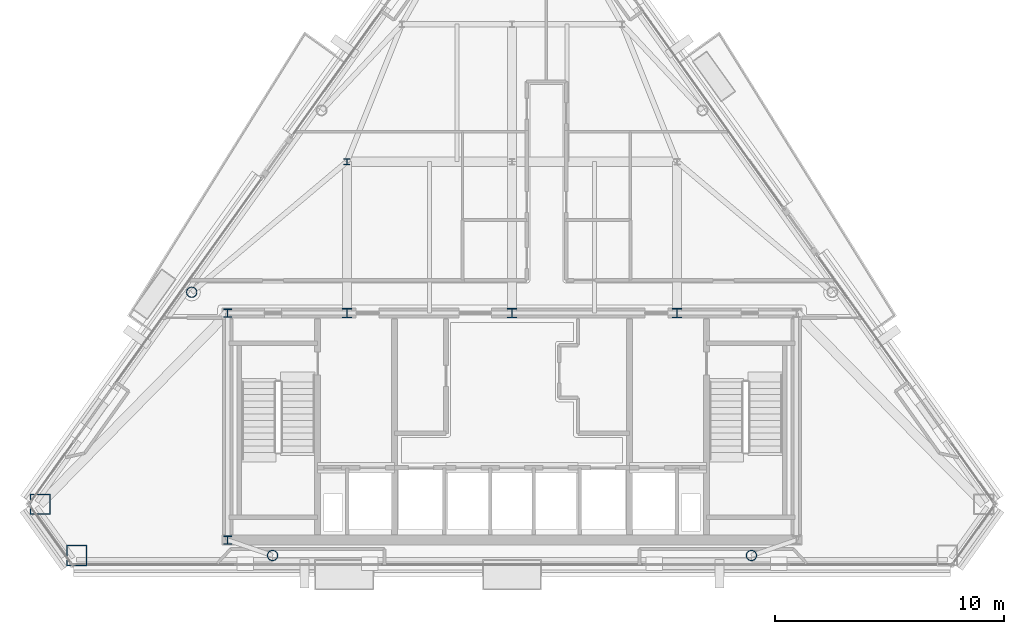
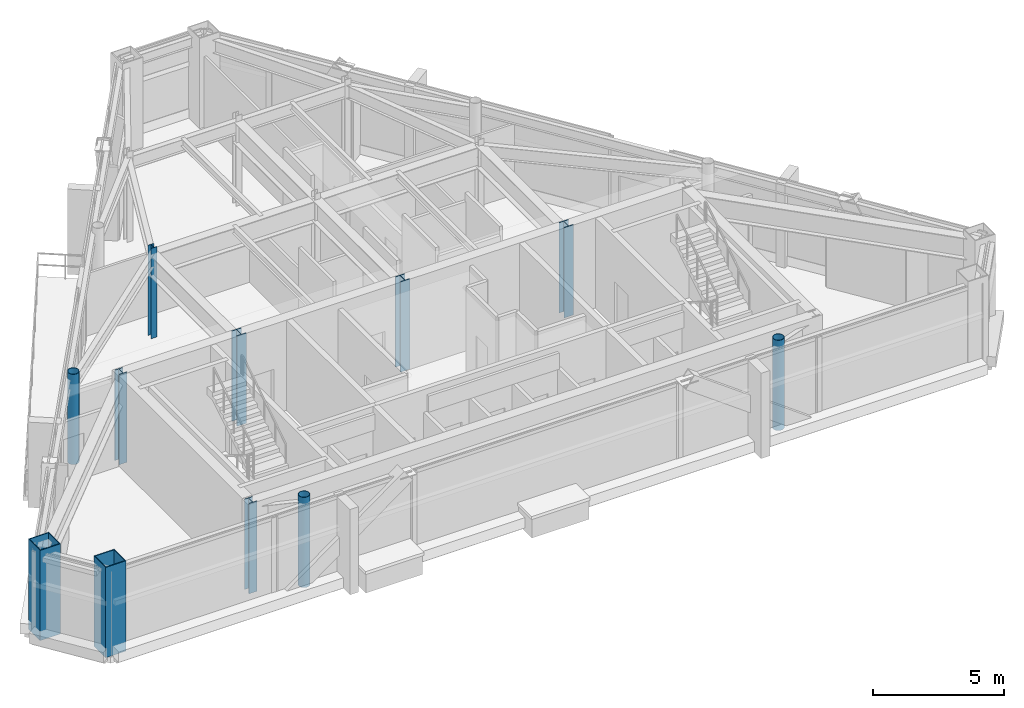
# One storey, part 1 of 12: 11 columns.
"""IFC4 building model written with IfcOpenShell, lengths in metres."""

from ifc_helpers import new_model, si_unit, direction, frame, origin, origin_2d, place, context, subcontext, project, spatial, hollow_rectangle, hollow_circle, i_section, extrude, material, material_profile, profile_set, type_object, element, save


model = new_model("IFC4")

# Units and contexts
model_context = context("Model", 3, precision=1e-05, world=origin(), true_north=direction((0.0, 1.0)))
body_context = subcontext(model_context, "Body", "Model", "MODEL_VIEW")
ifc_project = project(units=[si_unit("LENGTHUNIT", "METRE"), si_unit("AREAUNIT", "SQUARE_METRE"), si_unit("VOLUMEUNIT", "CUBIC_METRE"), si_unit("PLANEANGLEUNIT", "RADIAN"), si_unit("MASSUNIT", "GRAM", prefix="KILO")], contexts=[model_context])

# Site, building, storey
site_placement = place(None, origin())
site = spatial("IfcSite", under=ifc_project, at=site_placement, CompositionType="ELEMENT")
building_placement = place(site_placement, origin())
building = spatial("IfcBuilding", under=site, at=building_placement, Name="Talgorran Terracotta Tower", CompositionType="ELEMENT")
storey_placement = place(building_placement, frame((0.0, 0.0, 285.0)))
storey = spatial("IfcBuildingStorey", under=building, at=storey_placement, Name="L75", CompositionType="ELEMENT", Elevation=285.0)

# Columns
ifc_material_1 = material(Name="Steel S355 (300PLUS)", Category="steel")
ifc_material_profile_1 = material_profile(ifc_material_1, i_section(OverallWidth=0.256103515625, OverallDepth=0.260009765625, WebThickness=0.010498046875, FlangeThickness=0.017333984375, at=origin_2d()), Name="250UC89.5")
ifc_profile_set_1 = profile_set([ifc_material_profile_1], Name="Steel S355 (300PLUS)")
column_type_1 = type_object("IfcColumnType", Name="COL_250UC89", PredefinedType="COLUMN", material=ifc_profile_set_1)
column_placement = place(storey_placement, frame((-7.199951171875, 2.39990234375, 0.0), z_axis=(0.0, 0.0, 1.0), x_axis=(1.0, 0.0, 0.0)))
element("IfcColumn", 1, at=column_placement, inside=storey, type_object=column_type_1, Name="L75 Interior Gravity Column IC1", PredefinedType="COLUMN", context=body_context, shape_type="SweptSolid", body=[
    extrude(i_section(OverallWidth=0.256103515625, OverallDepth=0.260009765625, WebThickness=0.010498046875, FlangeThickness=0.017333984375, at=origin_2d()), origin(), (0.0, 0.0, 1.0), 4.199951171875),
])
ifc_material_profile_2 = material_profile(ifc_material_1, i_section(OverallWidth=0.35205078125, OverallDepth=0.35888671875, WebThickness=0.01806640625, FlangeThickness=0.02587890625, at=origin_2d()), Name="350WC197")
ifc_profile_set_2 = profile_set([ifc_material_profile_2], Name="Steel S355 (300PLUS)")
column_type_2 = type_object("IfcColumnType", Name="COL_350WC197", PredefinedType="COLUMN", material=ifc_profile_set_2)
for number, where, z_axis, x_axis, name in (
    (2, (-12.39990234375, -14.10009765625, 0.0), (0.0, 0.0, 1.0), (1.0, 0.0, 0.0), "L75 Core Boundary Column CC1"),
    (3, (-12.39990234375, -4.199951171875, 0.0), (0.0, 0.0, 1.0), (1.0, 0.0, 0.0), "L75 Core Boundary Column CC4"),
):
    element("IfcColumn", number, at=place(storey_placement, frame(where, z_axis=z_axis, x_axis=x_axis)), inside=storey, type_object=column_type_2, Name=name, PredefinedType="COLUMN", context=body_context, shape_type="SweptSolid", body=[
        extrude(i_section(OverallWidth=0.35205078125, OverallDepth=0.35888671875, WebThickness=0.01806640625, FlangeThickness=0.02587890625, at=origin_2d()), origin(), (0.0, 0.0, 1.0), 4.199951171875),
    ])
ifc_material_2 = material(Name="Steel Grade 350 (350L0)", Category="steel")
ifc_material_profile_3 = material_profile(ifc_material_2, hollow_rectangle(XDim=0.89990234375, YDim=0.89990234375, WallThickness=0.0400390625, at=origin_2d()), Name="CFT900X900X40")
ifc_profile_set_3 = profile_set([ifc_material_profile_3], Name="Steel Grade 350 (350L0)")
column_type_3 = type_object("IfcColumnType", Name="COL_CFT_900", PredefinedType="COLUMN", material=ifc_profile_set_3)
for number, where, z_axis, x_axis, name in (
    (4, (-20.578857421875, -12.542724609375, 0.0), (0.0, 0.0, 1.0), (1.0, 0.0, 0.0), "L75 Corner CFT Mega-Column MC1"),
    (5, (-18.984619140625, -14.7744140625, 0.0), (0.0, 0.0, 1.0), (1.0, 0.0, 0.0), "L75 Corner CFT Mega-Column MC2"),
):
    element("IfcColumn", number, at=place(storey_placement, frame(where, z_axis=z_axis, x_axis=x_axis)), inside=storey, type_object=column_type_3, Name=name, PredefinedType="COLUMN", context=body_context, shape_type="SweptSolid", body=[
        extrude(hollow_rectangle(XDim=0.89990234375, YDim=0.89990234375, WallThickness=0.0400390625, at=origin_2d()), origin(), (0.0, 0.0, 1.0), 4.199951171875),
    ])
ifc_material_3 = material(Name="Steel S350 (C350L0)", Category="steel")
ifc_material_profile_4 = material_profile(ifc_material_3, hollow_circle(Radius=0.228515625, WallThickness=0.01611328125, at=origin_2d()), Name="CHS457X16")
ifc_profile_set_4 = profile_set([ifc_material_profile_4], Name="Steel S350 (C350L0)")
column_type_4 = type_object("IfcColumnType", Name="COL_CHS_457", PredefinedType="COLUMN", material=ifc_profile_set_4)
for number, where, z_axis, x_axis, name in (
    (6, (-10.441650390625, -14.7744140625, 0.0), (0.0, 0.0, 1.0), (1.0, 0.0, 0.0), "L75 Facet Perimeter Column FC1"),
    (7, (10.441650390625, -14.7744140625, 0.0), (0.0, 0.0, 1.0), (1.0, 0.0, 0.0), "L75 Facet Perimeter Column FC2"),
    (8, (-13.970458984375, -3.29150390625, 0.0), (0.0, 0.0, 1.0), (1.0, 0.0, 0.0), "L75 Facet Perimeter Column FC6"),
):
    element("IfcColumn", number, at=place(storey_placement, frame(where, z_axis=z_axis, x_axis=x_axis)), inside=storey, type_object=column_type_4, Name=name, PredefinedType="COLUMN", context=body_context, shape_type="SweptSolid", body=[
        extrude(hollow_circle(Radius=0.228515625, WallThickness=0.01611328125, at=origin_2d()), origin(), (0.0, 0.0, 1.0), 4.199951171875),
    ])
ifc_material_profile_5 = material_profile(ifc_material_1, i_section(OverallWidth=0.405029296875, OverallDepth=0.4140625, WebThickness=0.02197265625, FlangeThickness=0.031982421875, at=origin_2d()), Name="400WC270")
ifc_profile_set_5 = profile_set([ifc_material_profile_5], Name="Steel S355 (300PLUS)")
column_type_5 = type_object("IfcColumnType", Name="COL_PIL_400WC270", PredefinedType="PILASTER", material=ifc_profile_set_5)
for number, where, z_axis, x_axis, name in (
    (9, (-7.199951171875, -4.199951171875, 0.0), (0.0, 0.0, 1.0), (1.0, 0.0, 0.0), "L75 Core Shear Pilaster CP1"),
    (10, (0.0, -4.199951171875, 0.0), (0.0, 0.0, 1.0), (1.0, 0.0, 0.0), "L75 Core Shear Pilaster CP2"),
    (11, (7.199951171875, -4.199951171875, 0.0), (0.0, 0.0, 1.0), (1.0, 0.0, 0.0), "L75 Core Shear Pilaster CP3"),
):
    element("IfcColumn", number, at=place(storey_placement, frame(where, z_axis=z_axis, x_axis=x_axis)), inside=storey, type_object=column_type_5, Name=name, PredefinedType="PILASTER", context=body_context, shape_type="SweptSolid", body=[
        extrude(i_section(OverallWidth=0.405029296875, OverallDepth=0.4140625, WebThickness=0.02197265625, FlangeThickness=0.031982421875, at=origin_2d()), origin(), (0.0, 0.0, 1.0), 4.199951171875),
    ])

save(model, "model.ifc")
